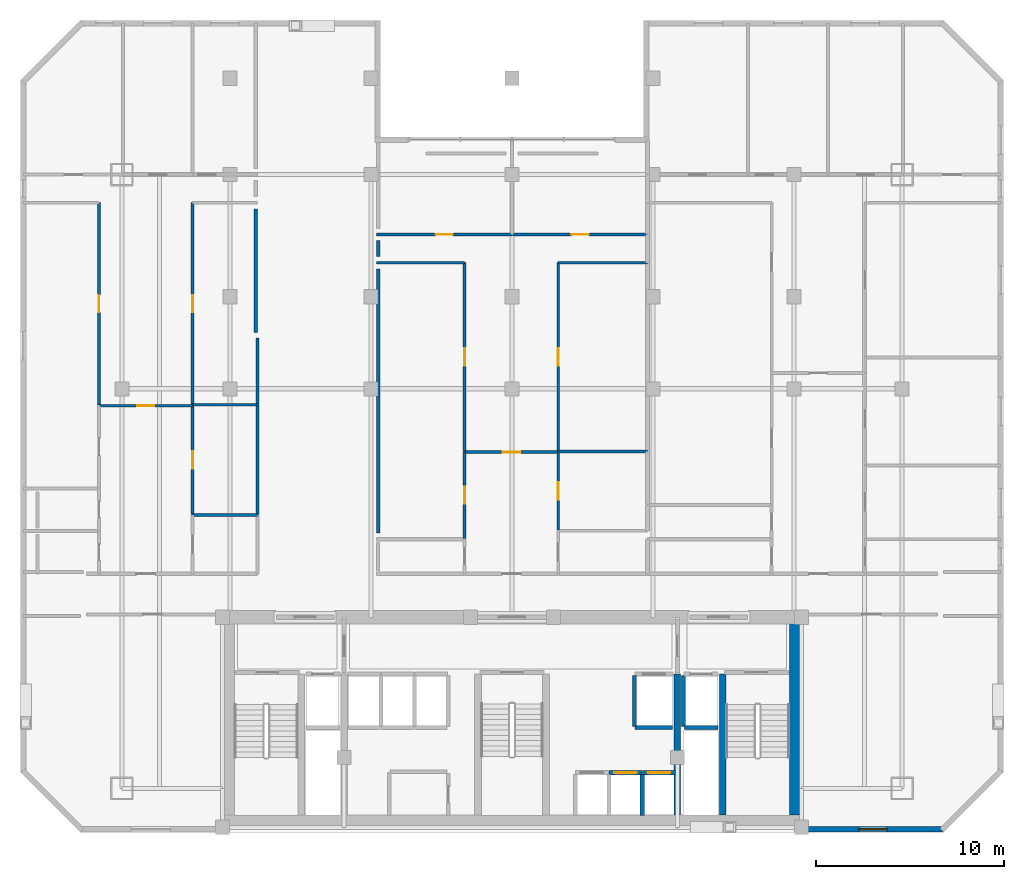
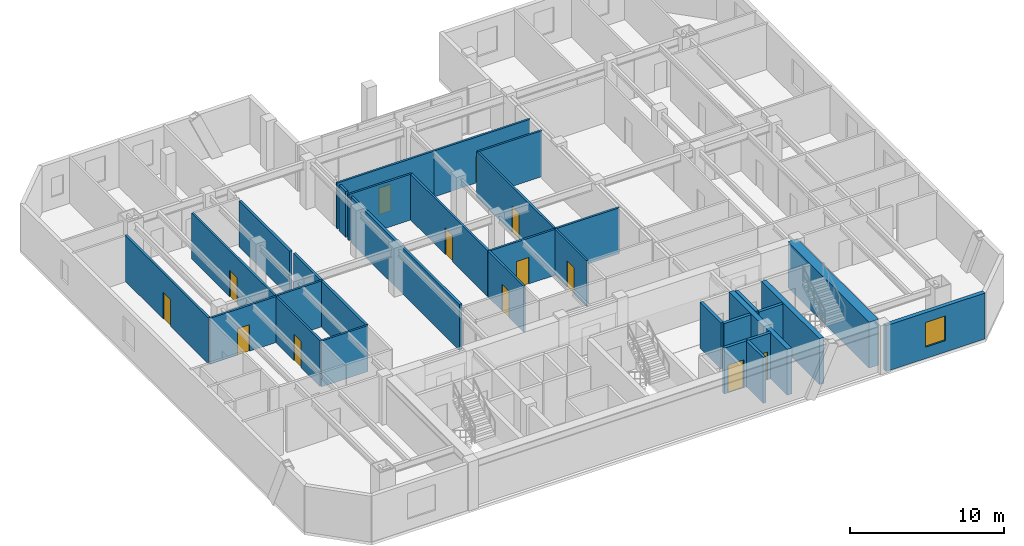
# One storey, part 5 of 9: 32 walls, 13 doors, 1 window, 14 openings.
"""IFC4 building model written with IfcOpenShell, lengths in metres."""

from ifc_helpers import new_model, si_unit, direction, frame, frame_2d, origin, place, context, subcontext, project, spatial, rectangle, extrude, material, layer, layer_set, type_object, element, fill, save


model = new_model("IFC4")

# Units and contexts
model_context = context("Model", 3, precision=1e-05, world=origin(), true_north=direction((0.0, 1.0)))
body_context = subcontext(model_context, "Body", "Model", "MODEL_VIEW")
ifc_project = project(units=[si_unit("LENGTHUNIT", "METRE"), si_unit("AREAUNIT", "SQUARE_METRE"), si_unit("VOLUMEUNIT", "CUBIC_METRE"), si_unit("PLANEANGLEUNIT", "RADIAN"), si_unit("MASSUNIT", "GRAM", prefix="KILO")], contexts=[model_context])

# Site, building, storey
site_placement = place(None, origin())
site = spatial("IfcSite", under=ifc_project, at=site_placement, CompositionType="ELEMENT")
building_placement = place(site_placement, origin())
building = spatial("IfcBuilding", under=site, at=building_placement, Name="Ventersveld Concourse Tower", CompositionType="ELEMENT")
storey_placement = place(building_placement, frame((0.0, 0.0, 145.199951171875)))
storey = spatial("IfcBuildingStorey", under=building, at=storey_placement, Name="L35", CompositionType="ELEMENT", Elevation=145.199951171875)

# Walls
ifc_material_1 = material(Name="Concrete C60/75", Category="concrete")
ifc_layer_1 = layer(ifc_material_1, 0.35009765625)
ifc_layer_set_1 = layer_set([ifc_layer_1], Name="Concrete C60/75")
wall_type_1 = type_object("IfcWallType", Name="WL-CORE-350L", PredefinedType="SHEAR", material=ifc_layer_set_1)
for number, where, z_axis, x_axis, name in (
    (1, (37.550048828125, 0.919921875, 0.0), (0.0, 0.0, 1.0), (0.0, 1.0, 0.0), "L35 Core Internal Shear Web W-SVL-W"),
    (2, (39.9599609375, 0.919921875, 0.0), (0.0, 0.0, 1.0), (0.0, 1.0, 0.0), "L35 Core Internal Shear Web W-ST2-W"),
):
    element("IfcWall", number, at=place(storey_placement, frame(where, z_axis=z_axis, x_axis=x_axis)), inside=storey, type_object=wall_type_1, Name=name, PredefinedType="SHEAR", context=body_context, shape_type="SweptSolid", body=[
        extrude(rectangle(XDim=7.5, YDim=0.35009765625, at=frame_2d((3.75, 0.0))), origin(), (0.0, 0.0, 1.0), 3.630126953125),
    ])
ifc_layer_2 = layer(ifc_material_1, 0.699951171875)
ifc_layer_set_2 = layer_set([ifc_layer_2], Name="Concrete C60/75")
wall_type_2 = type_object("IfcWallType", Name="WL-CORE-700", PredefinedType="SHEAR", material=ifc_layer_set_2)
wall_1_placement = place(storey_placement, frame((43.85009765625, 0.919921875, 0.0), z_axis=(0.0, 0.0, 1.0), x_axis=(0.0, 1.0, 0.0)))
element("IfcWall", 3, at=wall_1_placement, inside=storey, type_object=wall_type_2, Name="L35 Rear Core East Shear Wall", PredefinedType="SHEAR", context=body_context, shape_type="SweptSolid", body=[
    extrude(rectangle(XDim=10.530029296875, YDim=0.699951171875, at=frame_2d((5.26513671875, 0.0))), origin(), (0.0, 0.0, 1.0), 3.630126953125),
])
ifc_material_2 = material(Name="Fire-rated autoclaved aerated masonry blockwork", Category="masonry")
ifc_layer_3 = layer(ifc_material_2, 0.179931640625)
ifc_layer_set_3 = layer_set([ifc_layer_3], Name="Fire-rated autoclaved aerated masonry blockwork")
wall_type_3 = type_object("IfcWallType", Name="WL-CORR-180", PredefinedType="PARTITIONING", material=ifc_layer_set_3)
wall_2_placement = place(storey_placement, frame((15.2099609375, 16.92236328125, 0.0), z_axis=(0.0, 0.0, 1.0), x_axis=(0.0, 1.0, 0.0)))
element("IfcWall", 4, at=wall_2_placement, inside=storey, type_object=wall_type_3, Name="L35 Interior Partition SP-L35-COR-SP-L35-35NW-MEDR1", PredefinedType="PARTITIONING", context=body_context, shape_type="SweptSolid", body=[
    extrude(rectangle(XDim=5.838134765625, YDim=0.179931640625, at=frame_2d((2.9189453125, 0.0))), origin(), (0.0, 0.0, 1.0), 3.630126953125),
])
wall_3_placement = place(storey_placement, frame((15.2099609375, 22.79052734375, 0.0), z_axis=(0.0, 0.0, 1.0), x_axis=(0.0, 1.0, 0.0)))
element("IfcWall", 5, at=wall_3_placement, inside=storey, type_object=wall_type_3, Name="L35 Interior Partition SP-L35-COR-SP-L35-35NW-DENS", PredefinedType="PARTITIONING", context=body_context, shape_type="SweptSolid", body=[
    extrude(rectangle(XDim=3.50439453125, YDim=0.179931640625, at=frame_2d((1.752197265625, 0.0))), origin(), (0.0, 0.0, 1.0), 3.630126953125),
])
wall_4_placement = place(storey_placement, frame((15.1201171875, 33.175048828125, 0.0), z_axis=(0.0, 0.0, 1.0), x_axis=(0.0, -1.0, 0.0)))
element("IfcWall", 6, at=wall_4_placement, inside=storey, type_object=wall_type_3, Name="L35 Room Enclosure Wall SP-L35-35NW-DENS", PredefinedType="PARTITIONING", context=body_context, shape_type="SweptSolid", body=[
    extrude(rectangle(XDim=6.565185546875, YDim=0.179931640625, at=frame_2d((3.28271484375, 0.0))), origin(), (0.0, 0.0, 1.0), 3.630126953125),
])
wall_5_placement = place(storey_placement, frame((21.6298828125, 30.635009765625, 0.0), z_axis=(0.0, 0.0, 1.0), x_axis=(0.0, 1.0, 0.0)))
element("IfcWall", 7, at=wall_5_placement, inside=storey, type_object=wall_type_3, Name="L35 Room Enclosure Wall SP-L35-35CM-LIV", PredefinedType="PARTITIONING", context=body_context, shape_type="SweptSolid", body=[
    extrude(rectangle(XDim=0.85009765625, YDim=0.179931640625, at=frame_2d((0.425048828125, 0.0))), origin(), (0.0, 0.0, 1.0), 3.630126953125),
])
wall_6_placement = place(storey_placement, frame((21.6298828125, 15.925048828125, 0.0), z_axis=(0.0, 0.0, 1.0), x_axis=(0.0, 1.0, 0.0)))
element("IfcWall", 8, at=wall_6_placement, inside=storey, type_object=wall_type_3, Name="L35 Room Enclosure Wall SP-L35-35CM-MEDL0", PredefinedType="PARTITIONING", context=body_context, shape_type="SweptSolid", body=[
    extrude(rectangle(XDim=14.06005859375, YDim=0.179931640625, at=frame_2d((7.030029296875, 0.0))), origin(), (0.0, 0.0, 1.0), 3.630126953125),
])
ifc_layer_4 = layer(ifc_material_2, 0.219970703125)
ifc_layer_set_4 = layer_set([ifc_layer_4], Name="Fire-rated autoclaved aerated masonry blockwork")
wall_type_4 = type_object("IfcWallType", Name="WL-HOIST-220", PredefinedType="SOLIDWALL", material=ifc_layer_set_4)
wall_7_placement = place(storey_placement, frame((37.919921875, 5.590087890625, 0.0), z_axis=(0.0, 0.0, 1.0), x_axis=(1.0, 0.0, 0.0)))
element("IfcWall", 9, at=wall_7_placement, inside=storey, type_object=wall_type_4, Name="L35 Lift Hoistway Back Wall FFL-02", PredefinedType="SOLIDWALL", context=body_context, shape_type="SweptSolid", body=[
    extrude(rectangle(XDim=1.780029296875, YDim=0.219970703125, at=frame_2d((0.89013671875, 0.0))), origin(), (0.0, 0.0, 1.0), 3.630126953125),
])
wall_8_placement = place(storey_placement, frame((37.8798828125, 5.64990234375, 0.0), z_axis=(0.0, 0.0, 1.0), x_axis=(0.0, 1.0, 0.0)))
element("IfcWall", 10, at=wall_8_placement, inside=storey, type_object=wall_type_4, Name="L35 Lift Hoistway Side Wall FFL-02W", PredefinedType="SOLIDWALL", context=body_context, shape_type="SweptSolid", body=[
    extrude(rectangle(XDim=2.7001953125, YDim=0.219970703125, at=frame_2d((1.35009765625, 0.0))), origin(), (0.0, 0.0, 1.0), 3.630126953125),
])
wall_9_placement = place(storey_placement, frame((35.300048828125, 5.590087890625, 0.0), z_axis=(0.0, 0.0, 1.0), x_axis=(1.0, 0.0, 0.0)))
element("IfcWall", 11, at=wall_9_placement, inside=storey, type_object=wall_type_4, Name="L35 Lift Hoistway Back Wall SVL-01", PredefinedType="SOLIDWALL", context=body_context, shape_type="SweptSolid", body=[
    extrude(rectangle(XDim=2.0, YDim=0.219970703125, at=frame_2d((1.0, 0.0))), origin(), (0.0, 0.0, 1.0), 3.630126953125),
])
wall_10_placement = place(storey_placement, frame((35.260009765625, 5.64990234375, 0.0), z_axis=(0.0, 0.0, 1.0), x_axis=(0.0, 1.0, 0.0)))
element("IfcWall", 12, at=wall_10_placement, inside=storey, type_object=wall_type_4, Name="L35 Lift Hoistway Side Wall SVL-01W", PredefinedType="SOLIDWALL", context=body_context, shape_type="SweptSolid", body=[
    extrude(rectangle(XDim=2.7001953125, YDim=0.219970703125, at=frame_2d((1.35009765625, 0.0))), origin(), (0.0, 0.0, 1.0), 3.630126953125),
])
wall_11_placement = place(storey_placement, frame((35.679931640625, 0.89990234375, 0.0), z_axis=(0.0, 0.0, 1.0), x_axis=(0.0, 1.0, 0.0)))
element("IfcWall", 13, at=wall_11_placement, inside=storey, type_object=wall_type_4, Name="L35 Lift Hoistway Side Wall PM-02E", PredefinedType="SOLIDWALL", context=body_context, shape_type="SweptSolid", body=[
    extrude(rectangle(XDim=2.2001953125, YDim=0.219970703125, at=frame_2d((1.10009765625, 0.0))), origin(), (0.0, 0.0, 1.0), 3.630126953125),
])

# Wall, opening, door
wall_12_placement = place(storey_placement, frame((33.919921875, 3.179931640625, 0.0), z_axis=(0.0, 0.0, 1.0), x_axis=(1.0, 0.0, 0.0)))
wall_12 = element("IfcWall", 14, at=wall_12_placement, inside=storey, type_object=wall_type_4, Name="L35 Lift Hoistway Front Wall PM-02", PredefinedType="SOLIDWALL", context=body_context, shape_type="SweptSolid", body=[
    extrude(rectangle(XDim=1.739990234375, YDim=0.219970703125, at=frame_2d((0.8701171875, 0.0))), origin(), (0.0, 0.0, 1.0), 3.630126953125),
])
opening_1_placement = place(wall_12_placement, frame((0.280029296875, 0.0, 0.0)))
opening_1 = element("IfcOpeningElement", 15, at=opening_1_placement, cuts=wall_12, Name="Opening LD2", PredefinedType="OPENING", context=body_context, shape_type="SweptSolid", body=[
    extrude(rectangle(XDim=1.179931640625, YDim=2.199951171875, at=frame_2d((0.58984375, 1.10009765625))), frame((0.0, 0.1201171875, 0.0), z_axis=(0.0, -1.0, 0.0), x_axis=(1.0, 0.0, 0.0)), (0.0, 0.0, 1.0), 0.239990234375),
])
ifc_material_3 = material(Name="Brushed stainless steel 316", Category="steel")
door_type_1 = type_object("IfcDoorType", Name="LD-PAX-118", OperationType="SLIDING_TO_LEFT", PredefinedType="DOOR", material=ifc_material_3)
door_1_placement = place(opening_1_placement, origin())
door_1 = element("IfcDoor", 16, at=door_1_placement, inside=storey, type_object=door_type_1, Name="L35 Lift landing door PM-02 (LD-L35-PM-02)", OperationType="SLIDING_TO_LEFT", OverallHeight=2.199951171875, OverallWidth=1.179931640625, PredefinedType="DOOR", context=body_context, shape_type="SweptSolid", body=[
    extrude(rectangle(XDim=1.179931640625, YDim=2.199951171875, at=frame_2d((0.58984375, 1.10009765625))), frame((0.0, 0.02490234375, 0.0), z_axis=(0.0, -1.0, 0.0), x_axis=(1.0, 0.0, 0.0)), (0.0, 0.0, 1.0), 0.050048828125),
])
fill(opening_1, door_1)

wall_13_placement = place(storey_placement, frame((35.699951171875, 3.179931640625, 0.0), z_axis=(0.0, 0.0, 1.0), x_axis=(1.0, 0.0, 0.0)))
wall_13 = element("IfcWall", 17, at=wall_13_placement, inside=storey, type_object=wall_type_4, Name="L35 Lift Hoistway Front Wall PM-03", PredefinedType="SOLIDWALL", context=body_context, shape_type="SweptSolid", body=[
    extrude(rectangle(XDim=1.739990234375, YDim=0.219970703125, at=frame_2d((0.8701171875, 0.0))), origin(), (0.0, 0.0, 1.0), 3.630126953125),
])
opening_2_placement = place(wall_13_placement, frame((0.280029296875, 0.0, 0.0)))
opening_2 = element("IfcOpeningElement", 18, at=opening_2_placement, cuts=wall_13, Name="Opening LD2", PredefinedType="OPENING", context=body_context, shape_type="SweptSolid", body=[
    extrude(rectangle(XDim=1.179931640625, YDim=2.199951171875, at=frame_2d((0.58984375, 1.10009765625))), frame((0.0, 0.1201171875, 0.0), z_axis=(0.0, -1.0, 0.0), x_axis=(1.0, 0.0, 0.0)), (0.0, 0.0, 1.0), 0.239990234375),
])
door_2_placement = place(opening_2_placement, origin())
door_2 = element("IfcDoor", 19, at=door_2_placement, inside=storey, type_object=door_type_1, Name="L35 Lift landing door PM-03 (LD-L35-PM-03)", OperationType="SLIDING_TO_RIGHT", OverallHeight=2.199951171875, OverallWidth=1.179931640625, PredefinedType="DOOR", context=body_context, shape_type="SweptSolid", body=[
    extrude(rectangle(XDim=1.179931640625, YDim=2.199951171875, at=frame_2d((0.58984375, 1.10009765625))), frame((0.0, 0.02490234375, 0.0), z_axis=(0.0, -1.0, 0.0), x_axis=(1.0, 0.0, 0.0)), (0.0, 0.0, 1.0), 0.050048828125),
])
fill(opening_2, door_2)

ifc_material_4 = material(Name="Autoclaved aerated masonry blockwork", Category="masonry")
ifc_layer_5 = layer(ifc_material_4, 0.14990234375)
ifc_layer_set_5 = layer_set([ifc_layer_5], Name="Autoclaved aerated masonry blockwork")
wall_type_5 = type_object("IfcWallType", Name="WL-INT-150", PredefinedType="PARTITIONING", material=ifc_layer_set_5)
wall_14_placement = place(storey_placement, frame((6.776611328125, 22.703369140625, 0.0), z_axis=(0.0, 0.0, 1.0), x_axis=(1.0, 0.0, 0.0)))
wall_14 = element("IfcWall", 20, at=wall_14_placement, inside=storey, type_object=wall_type_5, Name="L35 Interior Partition SP-L35-35NW-FOY-SP-L35-35NW-LIV", PredefinedType="PARTITIONING", context=body_context, shape_type="SweptSolid", body=[
    extrude(rectangle(XDim=4.989990234375, YDim=0.14990234375, at=frame_2d((2.4951171875, 0.0))), origin(), (0.0, 0.0, 1.0), 3.630126953125),
])
opening_3_placement = place(wall_14_placement, frame((2.034912109375, 0.0, 0.0)))
opening_3 = element("IfcOpeningElement", 21, at=opening_3_placement, cuts=wall_14, Name="Opening ID1", PredefinedType="OPENING", context=body_context, shape_type="SweptSolid", body=[
    extrude(rectangle(XDim=0.919921875, YDim=2.10009765625, at=frame_2d((0.4599609375, 1.050048828125))), frame((0.0, 0.0849609375, 0.0), z_axis=(0.0, -1.0, 0.0), x_axis=(1.0, 0.0, 0.0)), (0.0, 0.0, 1.0), 0.169921875),
])
ifc_material_5 = material(Name="Solid-core hardwood veneer timber", Category="wood")
door_type_2 = type_object("IfcDoorType", Name="DR-ROOM-092", OperationType="NOTDEFINED", PredefinedType="DOOR", material=ifc_material_5)
door_3_placement = place(opening_3_placement, origin())
door_3 = element("IfcDoor", 22, at=door_3_placement, inside=storey, type_object=door_type_2, Name="L35 Interior Door SP-L35-35NW-FOY to SP-L35-35NW-LIV (D-L35-1713)", OperationType="SINGLE_SWING_LEFT", OverallHeight=2.10009765625, OverallWidth=0.919921875, PredefinedType="DOOR", context=body_context, shape_type="SweptSolid", body=[
    extrude(rectangle(XDim=0.919921875, YDim=2.10009765625, at=frame_2d((0.4599609375, 1.050048828125))), frame((0.0, 0.02490234375, 0.0), z_axis=(0.0, -1.0, 0.0), x_axis=(1.0, 0.0, 0.0)), (0.0, 0.0, 1.0), 0.050048828125),
])
fill(opening_3, door_3)

wall_15_placement = place(storey_placement, frame((11.76171875, 16.92236328125, 0.0), z_axis=(0.0, 0.0, 1.0), x_axis=(0.0, 1.0, 0.0)))
wall_15 = element("IfcWall", 23, at=wall_15_placement, inside=storey, type_object=wall_type_5, Name="L35 Interior Partition SP-L35-35NW-FOY-SP-L35-35NW-MEDR1", PredefinedType="PARTITIONING", context=body_context, shape_type="SweptSolid", body=[
    extrude(rectangle(XDim=5.785888671875, YDim=0.14990234375, at=frame_2d((2.89306640625, 0.0))), origin(), (0.0, 0.0, 1.0), 3.630126953125),
])
opening_4_placement = place(wall_15_placement, frame((2.43310546875, 0.0, 0.0)))
opening_4 = element("IfcOpeningElement", 24, at=opening_4_placement, cuts=wall_15, Name="Opening ID1", PredefinedType="OPENING", context=body_context, shape_type="SweptSolid", body=[
    extrude(rectangle(XDim=0.919921875, YDim=2.10009765625, at=frame_2d((0.4599609375, 1.050048828125))), frame((0.0, 0.0849609375, 0.0), z_axis=(0.0, -1.0, 0.0), x_axis=(1.0, 0.0, 0.0)), (0.0, 0.0, 1.0), 0.169921875),
])
door_4_placement = place(opening_4_placement, origin())
door_4 = element("IfcDoor", 25, at=door_4_placement, inside=storey, type_object=door_type_2, Name="L35 Interior Door SP-L35-35NW-FOY to SP-L35-35NW-MEDR1 (D-L35-1718)", OperationType="SINGLE_SWING_RIGHT", OverallHeight=2.10009765625, OverallWidth=0.919921875, PredefinedType="DOOR", context=body_context, shape_type="SweptSolid", body=[
    extrude(rectangle(XDim=0.919921875, YDim=2.10009765625, at=frame_2d((0.4599609375, 1.050048828125))), frame((0.0, 0.02490234375, 0.0), z_axis=(0.0, -1.0, 0.0), x_axis=(1.0, 0.0, 0.0)), (0.0, 0.0, 1.0), 0.050048828125),
])
fill(opening_4, door_4)

wall_16_placement = place(storey_placement, frame((6.78173828125, 22.73828125, 0.0), z_axis=(0.0, 0.0, 1.0), x_axis=(0.0, 1.0, 0.0)))
wall_16 = element("IfcWall", 26, at=wall_16_placement, inside=storey, type_object=wall_type_5, Name="L35 Interior Partition SP-L35-35NW-LIV-SP-L35-35NW-OFFL0", PredefinedType="PARTITIONING", context=body_context, shape_type="SweptSolid", body=[
    extrude(rectangle(XDim=10.7666015625, YDim=0.14990234375, at=frame_2d((5.38330078125, 0.0))), origin(), (0.0, 0.0, 1.0), 3.630126953125),
])
opening_5_placement = place(wall_16_placement, frame((4.92333984375, 0.0, 0.0)))
opening_5 = element("IfcOpeningElement", 27, at=opening_5_placement, cuts=wall_16, Name="Opening ID1", PredefinedType="OPENING", context=body_context, shape_type="SweptSolid", body=[
    extrude(rectangle(XDim=0.919921875, YDim=2.10009765625, at=frame_2d((0.4599609375, 1.050048828125))), frame((0.0, 0.0849609375, 0.0), z_axis=(0.0, -1.0, 0.0), x_axis=(1.0, 0.0, 0.0)), (0.0, 0.0, 1.0), 0.169921875),
])
door_5_placement = place(opening_5_placement, origin())
door_5 = element("IfcDoor", 28, at=door_5_placement, inside=storey, type_object=door_type_2, Name="L35 Interior Door SP-L35-35NW-LIV to SP-L35-35NW-OFFL0 (D-L35-1719)", OperationType="SINGLE_SWING_LEFT", OverallHeight=2.10009765625, OverallWidth=0.919921875, PredefinedType="DOOR", context=body_context, shape_type="SweptSolid", body=[
    extrude(rectangle(XDim=0.919921875, YDim=2.10009765625, at=frame_2d((0.4599609375, 1.050048828125))), frame((0.0, 0.02490234375, 0.0), z_axis=(0.0, -1.0, 0.0), x_axis=(1.0, 0.0, 0.0)), (0.0, 0.0, 1.0), 0.050048828125),
])
fill(opening_5, door_5)

wall_17_placement = place(storey_placement, frame((11.76171875, 22.75048828125, 0.0), z_axis=(0.0, 0.0, 1.0), x_axis=(0.0, 1.0, 0.0)))
wall_17 = element("IfcWall", 29, at=wall_17_placement, inside=storey, type_object=wall_type_5, Name="L35 Interior Partition SP-L35-35NW-LIV-SP-L35-35NW-DENS", PredefinedType="PARTITIONING", context=body_context, shape_type="SweptSolid", body=[
    extrude(rectangle(XDim=10.75439453125, YDim=0.14990234375, at=frame_2d((5.377197265625, 0.0))), origin(), (0.0, 0.0, 1.0), 3.630126953125),
])
opening_6_placement = place(wall_17_placement, frame((4.917236328125, 0.0, 0.0)))
opening_6 = element("IfcOpeningElement", 30, at=opening_6_placement, cuts=wall_17, Name="Opening ID1", PredefinedType="OPENING", context=body_context, shape_type="SweptSolid", body=[
    extrude(rectangle(XDim=0.919921875, YDim=2.10009765625, at=frame_2d((0.4599609375, 1.050048828125))), frame((0.0, 0.0849609375, 0.0), z_axis=(0.0, -1.0, 0.0), x_axis=(1.0, 0.0, 0.0)), (0.0, 0.0, 1.0), 0.169921875),
])
door_6_placement = place(opening_6_placement, origin())
door_6 = element("IfcDoor", 31, at=door_6_placement, inside=storey, type_object=door_type_2, Name="L35 Interior Door SP-L35-35NW-LIV to SP-L35-35NW-DENS (D-L35-1720)", OperationType="SINGLE_SWING_RIGHT", OverallHeight=2.10009765625, OverallWidth=0.919921875, PredefinedType="DOOR", context=body_context, shape_type="SweptSolid", body=[
    extrude(rectangle(XDim=0.919921875, YDim=2.10009765625, at=frame_2d((0.4599609375, 1.050048828125))), frame((0.0, 0.02490234375, 0.0), z_axis=(0.0, -1.0, 0.0), x_axis=(1.0, 0.0, 0.0)), (0.0, 0.0, 1.0), 0.050048828125),
])
fill(opening_6, door_6)

# Walls
for number, where, z_axis, x_axis, name in (
    (32, (11.756591796875, 16.88720703125, 0.0), (0.0, 0.0, 1.0), (1.0, 0.0, 0.0), "L35 Interior Partition SP-L35-35NW-KIT-SP-L35-35NW-MEDR1"),
    (33, (11.756591796875, 22.755615234375, 0.0), (0.0, 0.0, 1.0), (1.0, 0.0, 0.0), "L35 Interior Partition SP-L35-35NW-MEDR1-SP-L35-35NW-DENS"),
):
    element("IfcWall", number, at=place(storey_placement, frame(where, z_axis=z_axis, x_axis=x_axis)), inside=storey, type_object=wall_type_5, Name=name, PredefinedType="PARTITIONING", context=body_context, shape_type="SweptSolid", body=[
        extrude(rectangle(XDim=3.45849609375, YDim=0.14990234375, at=frame_2d((1.729248046875, 0.0))), origin(), (0.0, 0.0, 1.0), 3.630126953125),
    ])

# Wall, opening, door
wall_18_placement = place(storey_placement, frame((26.225341796875, 20.2392578125, 0.0), z_axis=(0.0, 0.0, 1.0), x_axis=(1.0, 0.0, 0.0)))
wall_18 = element("IfcWall", 34, at=wall_18_placement, inside=storey, type_object=wall_type_5, Name="L35 Interior Partition SP-L35-35CM-FOY-SP-L35-35CM-LIV", PredefinedType="PARTITIONING", context=body_context, shape_type="SweptSolid", body=[
    extrude(rectangle(XDim=4.989990234375, YDim=0.14990234375, at=frame_2d((2.4951171875, 0.0))), origin(), (0.0, 0.0, 1.0), 3.630126953125),
])
opening_7_placement = place(wall_18_placement, frame((2.034912109375, 0.0, 0.0)))
opening_7 = element("IfcOpeningElement", 35, at=opening_7_placement, cuts=wall_18, Name="Opening ID1", PredefinedType="OPENING", context=body_context, shape_type="SweptSolid", body=[
    extrude(rectangle(XDim=0.919921875, YDim=2.10009765625, at=frame_2d((0.4599609375, 1.050048828125))), frame((0.0, 0.0849609375, 0.0), z_axis=(0.0, -1.0, 0.0), x_axis=(1.0, 0.0, 0.0)), (0.0, 0.0, 1.0), 0.169921875),
])
door_7_placement = place(opening_7_placement, origin())
door_7 = element("IfcDoor", 36, at=door_7_placement, inside=storey, type_object=door_type_2, Name="L35 Interior Door SP-L35-35CM-FOY to SP-L35-35CM-LIV (D-L35-1737)", OperationType="SINGLE_SWING_LEFT", OverallHeight=2.10009765625, OverallWidth=0.919921875, PredefinedType="DOOR", context=body_context, shape_type="SweptSolid", body=[
    extrude(rectangle(XDim=0.919921875, YDim=2.10009765625, at=frame_2d((0.4599609375, 1.050048828125))), frame((0.0, 0.02490234375, 0.0), z_axis=(0.0, -1.0, 0.0), x_axis=(1.0, 0.0, 0.0)), (0.0, 0.0, 1.0), 0.050048828125),
])
fill(opening_7, door_7)

wall_19_placement = place(storey_placement, frame((26.23046875, 15.635009765625, 0.0), z_axis=(0.0, 0.0, 1.0), x_axis=(0.0, 1.0, 0.0)))
wall_19 = element("IfcWall", 37, at=wall_19_placement, inside=storey, type_object=wall_type_5, Name="L35 Interior Partition SP-L35-35CM-FOY-SP-L35-35CM-MEDL0", PredefinedType="PARTITIONING", context=body_context, shape_type="SweptSolid", body=[
    extrude(rectangle(XDim=4.609375, YDim=0.14990234375, at=frame_2d((2.3046875, 0.0))), origin(), (0.0, 0.0, 1.0), 3.630126953125),
])
opening_8_placement = place(wall_19_placement, frame((1.844482421875, 0.0, 0.0)))
opening_8 = element("IfcOpeningElement", 38, at=opening_8_placement, cuts=wall_19, Name="Opening ID1", PredefinedType="OPENING", context=body_context, shape_type="SweptSolid", body=[
    extrude(rectangle(XDim=0.919921875, YDim=2.10009765625, at=frame_2d((0.4599609375, 1.050048828125))), frame((0.0, 0.0849609375, 0.0), z_axis=(0.0, -1.0, 0.0), x_axis=(1.0, 0.0, 0.0)), (0.0, 0.0, 1.0), 0.169921875),
])
door_8_placement = place(opening_8_placement, origin())
door_8 = element("IfcDoor", 39, at=door_8_placement, inside=storey, type_object=door_type_2, Name="L35 Interior Door SP-L35-35CM-FOY to SP-L35-35CM-MEDL0 (D-L35-1739)", OperationType="SINGLE_SWING_LEFT", OverallHeight=2.10009765625, OverallWidth=0.919921875, PredefinedType="DOOR", context=body_context, shape_type="SweptSolid", body=[
    extrude(rectangle(XDim=0.919921875, YDim=2.10009765625, at=frame_2d((0.4599609375, 1.050048828125))), frame((0.0, 0.02490234375, 0.0), z_axis=(0.0, -1.0, 0.0), x_axis=(1.0, 0.0, 0.0)), (0.0, 0.0, 1.0), 0.050048828125),
])
fill(opening_8, door_8)

wall_20_placement = place(storey_placement, frame((31.21044921875, 16.085693359375, 0.0), z_axis=(0.0, 0.0, 1.0), x_axis=(0.0, 1.0, 0.0)))
wall_20 = element("IfcWall", 40, at=wall_20_placement, inside=storey, type_object=wall_type_5, Name="L35 Interior Partition SP-L35-35CM-FOY-SP-L35-35CM-SEMR1", PredefinedType="PARTITIONING", context=body_context, shape_type="SweptSolid", body=[
    extrude(rectangle(XDim=4.15869140625, YDim=0.14990234375, at=frame_2d((2.079345703125, 0.0))), origin(), (0.0, 0.0, 1.0), 3.630126953125),
])
opening_9_placement = place(wall_20_placement, frame((1.619140625, 0.0, 0.0)))
opening_9 = element("IfcOpeningElement", 41, at=opening_9_placement, cuts=wall_20, Name="Opening ID1", PredefinedType="OPENING", context=body_context, shape_type="SweptSolid", body=[
    extrude(rectangle(XDim=0.919921875, YDim=2.10009765625, at=frame_2d((0.4599609375, 1.050048828125))), frame((0.0, 0.0849609375, 0.0), z_axis=(0.0, -1.0, 0.0), x_axis=(1.0, 0.0, 0.0)), (0.0, 0.0, 1.0), 0.169921875),
])
door_9_placement = place(opening_9_placement, origin())
door_9 = element("IfcDoor", 42, at=door_9_placement, inside=storey, type_object=door_type_2, Name="L35 Interior Door SP-L35-35CM-FOY to SP-L35-35CM-SEMR1 (D-L35-1741)", OperationType="SINGLE_SWING_LEFT", OverallHeight=2.10009765625, OverallWidth=0.919921875, PredefinedType="DOOR", context=body_context, shape_type="SweptSolid", body=[
    extrude(rectangle(XDim=0.919921875, YDim=2.10009765625, at=frame_2d((0.4599609375, 1.050048828125))), frame((0.0, 0.02490234375, 0.0), z_axis=(0.0, -1.0, 0.0), x_axis=(1.0, 0.0, 0.0)), (0.0, 0.0, 1.0), 0.050048828125),
])
fill(opening_9, door_9)

wall_21_placement = place(storey_placement, frame((26.23046875, 20.2744140625, 0.0), z_axis=(0.0, 0.0, 1.0), x_axis=(0.0, 1.0, 0.0)))
wall_21 = element("IfcWall", 43, at=wall_21_placement, inside=storey, type_object=wall_type_5, Name="L35 Interior Partition SP-L35-35CM-LIV-SP-L35-35CM-MEDL0", PredefinedType="PARTITIONING", context=body_context, shape_type="SweptSolid", body=[
    extrude(rectangle(XDim=10.04052734375, YDim=0.14990234375, at=frame_2d((5.020263671875, 0.0))), origin(), (0.0, 0.0, 1.0), 3.630126953125),
])
opening_10_placement = place(wall_21_placement, frame((4.560302734375, 0.0, 0.0)))
opening_10 = element("IfcOpeningElement", 44, at=opening_10_placement, cuts=wall_21, Name="Opening ID1", PredefinedType="OPENING", context=body_context, shape_type="SweptSolid", body=[
    extrude(rectangle(XDim=0.919921875, YDim=2.10009765625, at=frame_2d((0.4599609375, 1.050048828125))), frame((0.0, 0.0849609375, 0.0), z_axis=(0.0, -1.0, 0.0), x_axis=(1.0, 0.0, 0.0)), (0.0, 0.0, 1.0), 0.169921875),
])
door_10_placement = place(opening_10_placement, origin())
door_10 = element("IfcDoor", 45, at=door_10_placement, inside=storey, type_object=door_type_2, Name="L35 Interior Door SP-L35-35CM-LIV to SP-L35-35CM-MEDL0 (D-L35-1742)", OperationType="SINGLE_SWING_RIGHT", OverallHeight=2.10009765625, OverallWidth=0.919921875, PredefinedType="DOOR", context=body_context, shape_type="SweptSolid", body=[
    extrude(rectangle(XDim=0.919921875, YDim=2.10009765625, at=frame_2d((0.4599609375, 1.050048828125))), frame((0.0, 0.02490234375, 0.0), z_axis=(0.0, -1.0, 0.0), x_axis=(1.0, 0.0, 0.0)), (0.0, 0.0, 1.0), 0.050048828125),
])
fill(opening_10, door_10)

# Wall
wall_22_placement = place(storey_placement, frame((21.534912109375, 30.31005859375, 0.0), z_axis=(0.0, 0.0, 1.0), x_axis=(1.0, 0.0, 0.0)))
element("IfcWall", 46, at=wall_22_placement, inside=storey, type_object=wall_type_5, Name="L35 Interior Partition SP-L35-35CM-LIV-SP-L35-35CM-MEDL0", PredefinedType="PARTITIONING", context=body_context, shape_type="SweptSolid", body=[
    extrude(rectangle(XDim=4.700439453125, YDim=0.14990234375, at=frame_2d((2.35009765625, 0.0))), origin(), (0.0, 0.0, 1.0), 3.630126953125),
])

# Wall, opening, door
wall_23_placement = place(storey_placement, frame((31.21044921875, 20.2744140625, 0.0), z_axis=(0.0, 0.0, 1.0), x_axis=(0.0, 1.0, 0.0)))
wall_23 = element("IfcWall", 47, at=wall_23_placement, inside=storey, type_object=wall_type_5, Name="L35 Interior Partition SP-L35-35CM-LIV-SP-L35-35CM-DENS", PredefinedType="PARTITIONING", context=body_context, shape_type="SweptSolid", body=[
    extrude(rectangle(XDim=10.04052734375, YDim=0.14990234375, at=frame_2d((5.020263671875, 0.0))), origin(), (0.0, 0.0, 1.0), 3.630126953125),
])
opening_11_placement = place(wall_23_placement, frame((4.560302734375, 0.0, 0.0)))
opening_11 = element("IfcOpeningElement", 48, at=opening_11_placement, cuts=wall_23, Name="Opening ID1", PredefinedType="OPENING", context=body_context, shape_type="SweptSolid", body=[
    extrude(rectangle(XDim=0.919921875, YDim=2.10009765625, at=frame_2d((0.4599609375, 1.050048828125))), frame((0.0, 0.0849609375, 0.0), z_axis=(0.0, -1.0, 0.0), x_axis=(1.0, 0.0, 0.0)), (0.0, 0.0, 1.0), 0.169921875),
])
door_11_placement = place(opening_11_placement, origin())
door_11 = element("IfcDoor", 49, at=door_11_placement, inside=storey, type_object=door_type_2, Name="L35 Interior Door SP-L35-35CM-LIV to SP-L35-35CM-DENS (D-L35-1743)", OperationType="SINGLE_SWING_LEFT", OverallHeight=2.10009765625, OverallWidth=0.919921875, PredefinedType="DOOR", context=body_context, shape_type="SweptSolid", body=[
    extrude(rectangle(XDim=0.919921875, YDim=2.10009765625, at=frame_2d((0.4599609375, 1.050048828125))), frame((0.0, 0.02490234375, 0.0), z_axis=(0.0, -1.0, 0.0), x_axis=(1.0, 0.0, 0.0)), (0.0, 0.0, 1.0), 0.050048828125),
])
fill(opening_11, door_11)

# Wall
wall_24_placement = place(storey_placement, frame((31.205322265625, 30.31005859375, 0.0), z_axis=(0.0, 0.0, 1.0), x_axis=(1.0, 0.0, 0.0)))
element("IfcWall", 50, at=wall_24_placement, inside=storey, type_object=wall_type_5, Name="L35 Interior Partition SP-L35-35CM-LIV-SP-L35-35CM-DENS", PredefinedType="PARTITIONING", context=body_context, shape_type="SweptSolid", body=[
    extrude(rectangle(XDim=4.759765625, YDim=0.14990234375, at=frame_2d((2.3798828125, 0.0))), origin(), (0.0, 0.0, 1.0), 3.630126953125),
])

# Wall, opening, door
wall_25_placement = place(storey_placement, frame((21.534912109375, 31.81005859375, 0.0), z_axis=(0.0, 0.0, 1.0), x_axis=(1.0, 0.0, 0.0)))
wall_25 = element("IfcWall", 51, at=wall_25_placement, inside=storey, type_object=wall_type_5, Name="L35 Interior Partition SP-L35-35CM-LIV-SP-L35-35CM-BR1", PredefinedType="PARTITIONING", context=body_context, shape_type="SweptSolid", body=[
    extrude(rectangle(XDim=7.219970703125, YDim=0.14990234375, at=frame_2d((3.60986328125, 0.0))), origin(), (0.0, 0.0, 1.0), 3.630126953125),
])
opening_12_placement = place(wall_25_placement, frame((3.14990234375, 0.0, 0.0)))
opening_12 = element("IfcOpeningElement", 52, at=opening_12_placement, cuts=wall_25, Name="Opening ID1", PredefinedType="OPENING", context=body_context, shape_type="SweptSolid", body=[
    extrude(rectangle(XDim=0.919921875, YDim=2.10009765625, at=frame_2d((0.4599609375, 1.050048828125))), frame((0.0, 0.0849609375, 0.0), z_axis=(0.0, -1.0, 0.0), x_axis=(1.0, 0.0, 0.0)), (0.0, 0.0, 1.0), 0.169921875),
])
door_12_placement = place(opening_12_placement, origin())
door_12 = element("IfcDoor", 53, at=door_12_placement, inside=storey, type_object=door_type_2, Name="L35 Interior Door SP-L35-35CM-LIV to SP-L35-35CM-BR1 (D-L35-1744)", OperationType="SINGLE_SWING_RIGHT", OverallHeight=2.10009765625, OverallWidth=0.919921875, PredefinedType="DOOR", context=body_context, shape_type="SweptSolid", body=[
    extrude(rectangle(XDim=0.919921875, YDim=2.10009765625, at=frame_2d((0.4599609375, 1.050048828125))), frame((0.0, 0.02490234375, 0.0), z_axis=(0.0, -1.0, 0.0), x_axis=(1.0, 0.0, 0.0)), (0.0, 0.0, 1.0), 0.050048828125),
])
fill(opening_12, door_12)

wall_26_placement = place(storey_placement, frame((28.784912109375, 31.81005859375, 0.0), z_axis=(0.0, 0.0, 1.0), x_axis=(1.0, 0.0, 0.0)))
wall_26 = element("IfcWall", 54, at=wall_26_placement, inside=storey, type_object=wall_type_5, Name="L35 Interior Partition SP-L35-35CM-LIV-SP-L35-35CM-BR2", PredefinedType="PARTITIONING", context=body_context, shape_type="SweptSolid", body=[
    extrude(rectangle(XDim=7.18017578125, YDim=0.14990234375, at=frame_2d((3.590087890625, 0.0))), origin(), (0.0, 0.0, 1.0), 3.630126953125),
])
opening_13_placement = place(wall_26_placement, frame((3.1298828125, 0.0, 0.0)))
opening_13 = element("IfcOpeningElement", 55, at=opening_13_placement, cuts=wall_26, Name="Opening ID1", PredefinedType="OPENING", context=body_context, shape_type="SweptSolid", body=[
    extrude(rectangle(XDim=0.919921875, YDim=2.10009765625, at=frame_2d((0.4599609375, 1.050048828125))), frame((0.0, 0.0849609375, 0.0), z_axis=(0.0, -1.0, 0.0), x_axis=(1.0, 0.0, 0.0)), (0.0, 0.0, 1.0), 0.169921875),
])
door_13_placement = place(opening_13_placement, origin())
door_13 = element("IfcDoor", 56, at=door_13_placement, inside=storey, type_object=door_type_2, Name="L35 Interior Door SP-L35-35CM-LIV to SP-L35-35CM-BR2 (D-L35-1745)", OperationType="SINGLE_SWING_LEFT", OverallHeight=2.10009765625, OverallWidth=0.919921875, PredefinedType="DOOR", context=body_context, shape_type="SweptSolid", body=[
    extrude(rectangle(XDim=0.919921875, YDim=2.10009765625, at=frame_2d((0.4599609375, 1.050048828125))), frame((0.0, 0.02490234375, 0.0), z_axis=(0.0, -1.0, 0.0), x_axis=(1.0, 0.0, 0.0)), (0.0, 0.0, 1.0), 0.050048828125),
])
fill(opening_13, door_13)

# Wall
wall_27_placement = place(storey_placement, frame((31.205322265625, 20.2724609375, 0.0), z_axis=(0.0, 0.0, 1.0), x_axis=(1.0, 0.0, 0.0)))
element("IfcWall", 57, at=wall_27_placement, inside=storey, type_object=wall_type_5, Name="L35 Interior Partition SP-L35-35CM-SEMR1-SP-L35-35CM-DENS", PredefinedType="PARTITIONING", context=body_context, shape_type="SweptSolid", body=[
    extrude(rectangle(XDim=4.759765625, YDim=0.14990234375, at=frame_2d((2.3798828125, 0.0))), origin(), (0.0, 0.0, 1.0), 3.630126953125),
])

# Wall, opening, window
ifc_material_6 = material(Name="Precast concrete C45/55", Category="concrete")
ifc_layer_6 = layer(ifc_material_6, 0.300048828125)
ifc_layer_set_6 = layer_set([ifc_layer_6], Name="Precast concrete C45/55")
wall_type_6 = type_object("IfcWallType", Name="WL-PREC-300", PredefinedType="SOLIDWALL", material=ifc_layer_set_6)
wall_28_placement = place(storey_placement, frame((44.25, 0.179931640625, 0.0), z_axis=(0.0, 0.0, 1.0), x_axis=(1.0, 0.0, 0.0)))
wall_28 = element("IfcWall", 58, at=wall_28_placement, inside=storey, type_object=wall_type_6, Name="L35 South-East Flank Precast Wall", PredefinedType="SOLIDWALL", context=body_context, shape_type="SweptSolid", body=[
    extrude(rectangle(XDim=7.409912109375, YDim=0.300048828125, at=frame_2d((3.705078125, 0.0))), origin(), (0.0, 0.0, 1.0), 3.630126953125),
])
opening_14_placement = place(wall_28_placement, frame((2.955078125, 0.0, 0.89990234375)))
opening_14 = element("IfcOpeningElement", 59, at=opening_14_placement, cuts=wall_28, Name="Opening W1", PredefinedType="OPENING", context=body_context, shape_type="SweptSolid", body=[
    extrude(rectangle(XDim=1.5, YDim=1.949951171875, at=frame_2d((0.75, 0.97509765625))), frame((0.0, 0.16015625, 0.0), z_axis=(0.0, -1.0, 0.0), x_axis=(1.0, 0.0, 0.0)), (0.0, 0.0, 1.0), 0.320068359375),
])
ifc_material_7 = material(Name="Tempered acoustic Low-E IGU", Category="glass")
window_type = type_object("IfcWindowType", Name="WIN-150x210", PartitioningType="SINGLE_PANEL", PredefinedType="WINDOW", material=ifc_material_7)
window_placement = place(opening_14_placement, origin())
window = element("IfcWindow", 60, at=window_placement, inside=storey, type_object=window_type, Name="L35 Punched Low-E Window W-0446", OverallHeight=1.949951171875, OverallWidth=1.5, PartitioningType="SINGLE_PANEL", PredefinedType="WINDOW", context=body_context, shape_type="SweptSolid", body=[
    extrude(rectangle(XDim=1.5, YDim=1.949951171875, at=frame_2d((0.75, 0.97509765625))), frame((0.0, 0.030029296875, 0.0), z_axis=(0.0, -1.0, 0.0), x_axis=(1.0, 0.0, 0.0)), (0.0, 0.0, 1.0), 0.06005859375),
])
fill(opening_14, window)

save(model, "model.ifc")
